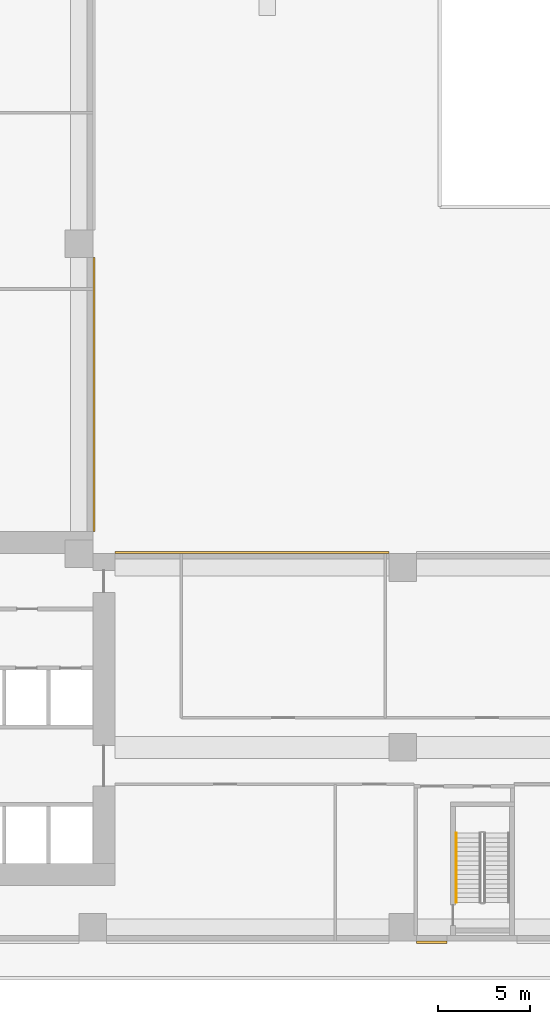
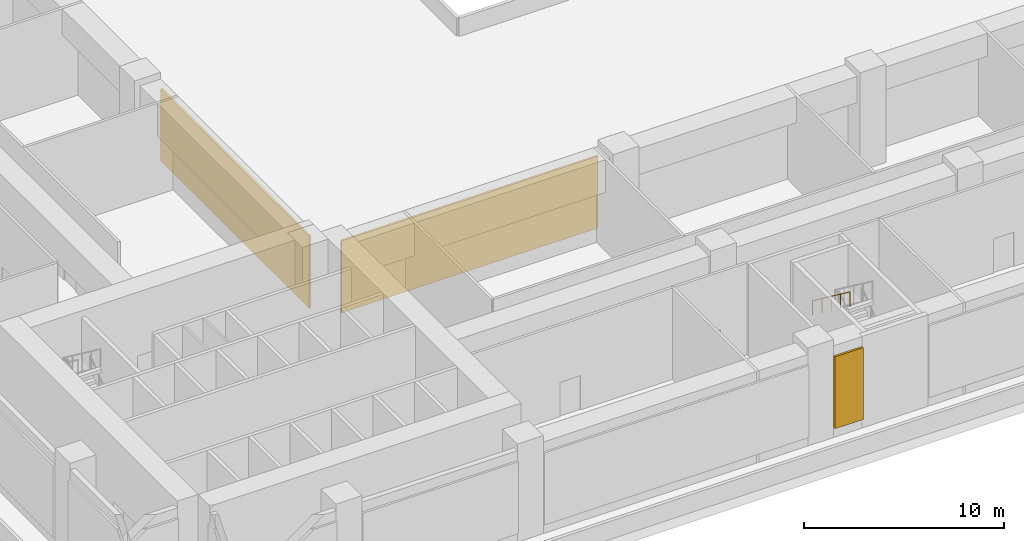
# One storey, part 8 of 11: 3 coverings, 1 railing.
"""IFC4 building model written with IfcOpenShell, lengths in metres."""

from ifc_helpers import new_model, si_unit, direction, frame, origin, origin_2d, place, context, subcontext, project, spatial, rectangle, circle, extrude, source, transform, mapped, material, type_object, element, save


model = new_model("IFC4")

# Units and contexts
model_context = context("Model", 3, precision=1e-05, world=origin(), true_north=direction((0.0, 1.0)))
body_context = subcontext(model_context, "Body", "Model", "MODEL_VIEW")
ifc_project = project(units=[si_unit("LENGTHUNIT", "METRE"), si_unit("AREAUNIT", "SQUARE_METRE"), si_unit("VOLUMEUNIT", "CUBIC_METRE"), si_unit("PLANEANGLEUNIT", "RADIAN"), si_unit("MASSUNIT", "GRAM", prefix="KILO")], contexts=[model_context])

# Site, building, storey
site_placement = place(None, origin())
site = spatial("IfcSite", under=ifc_project, at=site_placement, CompositionType="ELEMENT")
building_placement = place(site_placement, origin())
building = spatial("IfcBuilding", under=site, at=building_placement, Name="Aurelian Terraces", CompositionType="ELEMENT")
storey_placement = place(building_placement, frame((0.0, 0.0, 34.5)))
storey = spatial("IfcBuildingStorey", under=building, at=storey_placement, Name="L06", CompositionType="ELEMENT", Elevation=34.5)

# Coverings
ifc_material_1 = material(Name="Terracotta rainscreen cladding louvre blades", Category="masonry")
covering_type = type_object("IfcCoveringType", Name="LOUVRE-TC", PredefinedType="CLADDING", material=ifc_material_1)
covering_1_placement = place(storey_placement, frame((39.375, -0.06, 0.6), z_axis=(0.0, 0.0, 1.0), x_axis=(1.0, 0.0, 0.0)))
element("IfcCovering", 1, at=covering_1_placement, inside=storey, type_object=covering_type, Name="LOUVRE L06 F01", PredefinedType="CLADDING", context=body_context, shape_type="SweptSolid", body=[
    extrude(rectangle(XDim=1.65, YDim=0.12, at=origin_2d()), origin(), (0.0, 0.0, 1.0), 4.4),
])
covering_2_placement = place(storey_placement, frame((29.625, 21.06, 0.6), z_axis=(0.0, 0.0, 1.0), x_axis=(1.0, 0.0, 0.0)))
element("IfcCovering", 2, at=covering_2_placement, inside=storey, type_object=covering_type, Name="LOUVRE L06 F07", PredefinedType="CLADDING", context=body_context, shape_type="SweptSolid", body=[
    extrude(rectangle(XDim=14.85, YDim=0.12, at=origin_2d()), origin(), (0.0, 0.0, 1.0), 4.4),
])
covering_3_placement = place(storey_placement, frame((21.06, 29.625, 0.6), z_axis=(0.0, 0.0, 1.0), x_axis=(1.0, 0.0, 0.0)))
element("IfcCovering", 3, at=covering_3_placement, inside=storey, type_object=covering_type, Name="LOUVRE L06 F08", PredefinedType="CLADDING", context=body_context, shape_type="SweptSolid", body=[
    extrude(rectangle(XDim=0.12, YDim=14.85, at=origin_2d()), origin(), (0.0, 0.0, 1.0), 4.4),
])

# Railing
ifc_material_2 = material(Name="Stainless steel", Category="steel")
railing_type = type_object("IfcRailingType", Name="Stair handrail", PredefinedType="HANDRAIL", material=ifc_material_2)
shared_shape = source(origin(), body_context, "Body", "SweptSolid", [
    extrude(circle(Radius=0.024, at=origin_2d()), frame((0.0, 0.0, 0.876), z_axis=(0.0, -0.8, 0.6), x_axis=(1.0, 0.0, 0.0)), (0.0, 0.0, 1.0), 4.6875),
    extrude(circle(Radius=0.021, at=origin_2d()), origin(), (0.0, 0.0, 1.0), 0.852),
    extrude(circle(Radius=0.021, at=origin_2d()), frame((0.0, -0.9375, 0.7031)), (0.0, 0.0, 1.0), 0.852),
    extrude(circle(Radius=0.021, at=origin_2d()), frame((0.0, -1.875, 1.4062)), (0.0, 0.0, 1.0), 0.852),
    extrude(circle(Radius=0.021, at=origin_2d()), frame((0.0, -2.8125, 2.1094)), (0.0, 0.0, 1.0), 0.852),
    extrude(circle(Radius=0.021, at=origin_2d()), frame((0.0, -3.75, 2.8125)), (0.0, 0.0, 1.0), 0.852),
])
railing_placement = place(storey_placement, frame((40.7, 5.85, 3.1875)))
element("IfcRailing", 4, at=railing_placement, inside=storey, type_object=railing_type, Name="L06 S2 stair handrail 2", PredefinedType="HANDRAIL", context=body_context, shape_type="MappedRepresentation", body=[
    mapped(shared_shape, transform((0.0, 0.0, 0.0), scale=1.0)),
])

save(model, "model.ifc")
